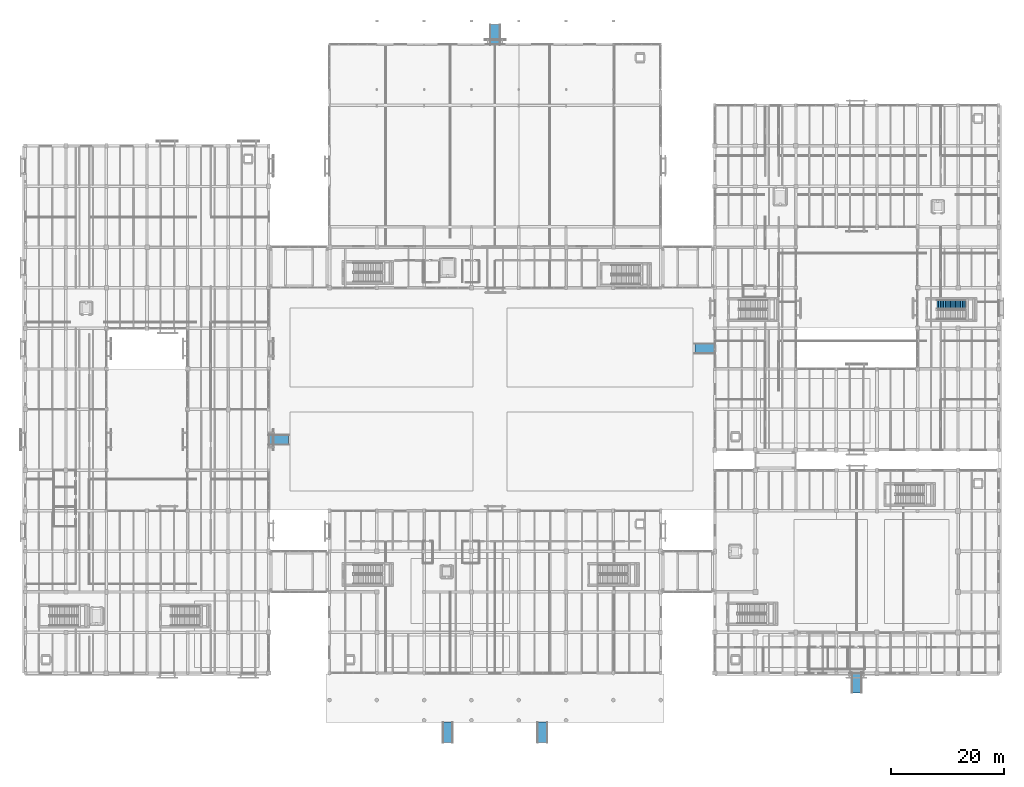
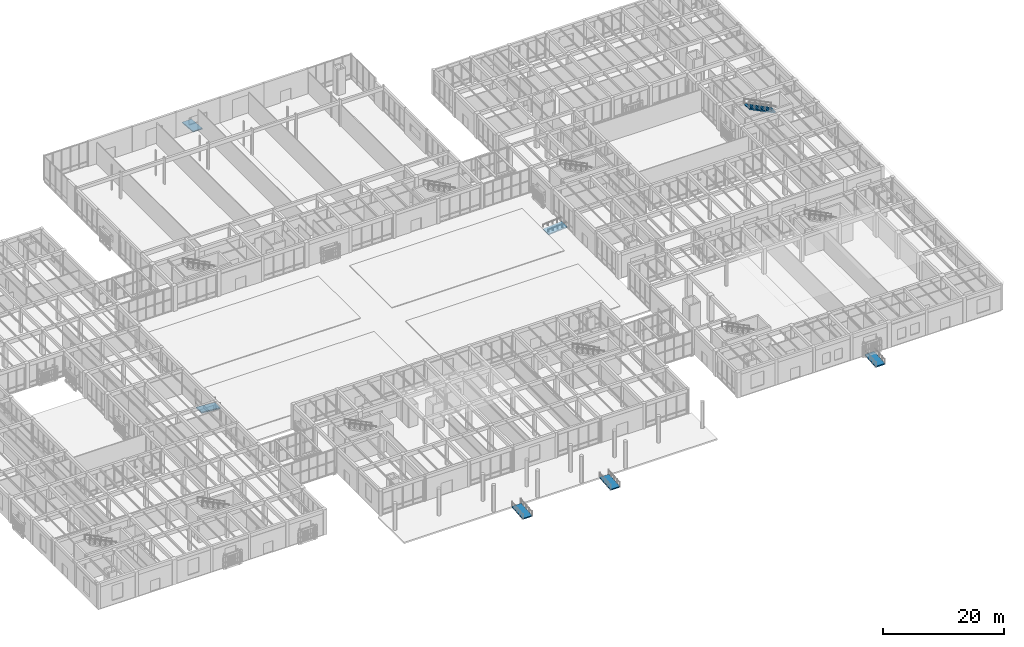
# One storey, part 135 of 169: 6 ramp flights, 1 stair flight, 7 elements without a shape of their own.
"""IFC4 building model written with IfcOpenShell, lengths in metres."""

from ifc_helpers import new_model, si_unit, direction, frame, origin, place, context, subcontext, project, spatial, polyline, outline, extrude, material, layer, layer_set, type_object, element, aggregate, save


model = new_model("IFC4")

# Units and contexts
model_context = context("Model", 3, precision=1e-05, world=origin(), true_north=direction((0.0, 1.0)))
body_context = subcontext(model_context, "Body", "Model", "MODEL_VIEW")
ifc_project = project(units=[si_unit("LENGTHUNIT", "METRE"), si_unit("AREAUNIT", "SQUARE_METRE"), si_unit("VOLUMEUNIT", "CUBIC_METRE"), si_unit("PLANEANGLEUNIT", "RADIAN"), si_unit("MASSUNIT", "GRAM", prefix="KILO")], contexts=[model_context])

# Site, building, storey
site_placement = place(None, origin())
site = spatial("IfcSite", under=ifc_project, at=site_placement, CompositionType="ELEMENT")
building_placement = place(site_placement, origin())
building = spatial("IfcBuilding", under=site, at=building_placement, Name="Mazaris Harbour Polytechnic", CompositionType="ELEMENT")
storey_placement = place(building_placement, origin())
storey = spatial("IfcBuildingStorey", under=building, at=storey_placement, Name="L00", CompositionType="ELEMENT", Elevation=0.0)

# Stair, stair flight
ifc_material_1 = material(Name="Concrete C40/50", Category="concrete")
stair_type = type_object("IfcStairType", Name="Core Exit Stair H5400", PredefinedType="HALF_TURN_STAIR", material=ifc_material_1)
stair_placement = place(storey_placement, origin())
stair = element("IfcStair", 1, at=stair_placement, inside=storey, type_object=stair_type, Name="L00 ST10", PredefinedType="HALF_TURN_STAIR")
ifc_material_2 = material(Name="Concrete C40/50", Category="concrete")
stair_flight_type = type_object("IfcStairFlightType", Name="RC Stair Flight W1650", PredefinedType="STRAIGHT", material=ifc_material_2)
stair_flight_placement = place(storey_placement, frame((166.949951171875, 72.625, 2.699951171875), z_axis=(0.0, 0.0, 1.0), x_axis=(-1.0, 0.0, 0.0)))
stair_flight = element("IfcStairFlight", 2, at=stair_flight_placement, type_object=stair_flight_type, Name="ST10 flight 2", NumberOfRisers=18, NumberOfTreads=17, PredefinedType="STRAIGHT", RiserHeight=0.15, TreadLength=0.3, context=body_context, shape_type="SweptSolid", body=[
    extrude(outline(polyline([(0.0, 0.0), (0.0, 0.14990234375), (0.300048828125, 0.14990234375), (0.300048828125, 0.300048828125), (0.60009765625, 0.300048828125), (0.60009765625, 0.449951171875), (0.89990234375, 0.449951171875), (0.89990234375, 0.60009765625), (1.199951171875, 0.60009765625), (1.199951171875, 0.75), (1.5, 0.75), (1.5, 0.89990234375), (1.800048828125, 0.89990234375), (1.800048828125, 1.050048828125), (2.10009765625, 1.050048828125), (2.10009765625, 1.199951171875), (2.39990234375, 1.199951171875), (2.39990234375, 1.35009765625), (2.699951171875, 1.35009765625), (2.699951171875, 1.5), (3.0, 1.5), (3.0, 1.64990234375), (3.300048828125, 1.64990234375), (3.300048828125, 1.800048828125), (3.60009765625, 1.800048828125), (3.60009765625, 1.949951171875), (3.89990234375, 1.949951171875), (3.89990234375, 2.10009765625), (4.199951171875, 2.10009765625), (4.199951171875, 2.25), (4.5, 2.25), (4.5, 2.39990234375), (4.800048828125, 2.39990234375), (4.800048828125, 2.550048828125), (5.10009765625, 2.550048828125), (5.10009765625, 2.699951171875), (5.10009765625, 2.348876953125), (0.40234375, 0.0), (0.0, 0.0)])), frame((0.0, 0.824951171875, 0.0), z_axis=(0.0, -1.0, 0.0), x_axis=(1.0, 0.0, 0.0)), (0.0, 0.0, 1.0), 1.64990234375),
])
aggregate(stair, [stair_flight])

# Ramp, ramp flight
ifc_material_3 = material(Name="Concrete C35/45", Category="concrete")
ramp_type = type_object("IfcRampType", Name="Promenade Accessible Ramp 1800", PredefinedType="STRAIGHT_RUN_RAMP", material=ifc_material_3)
ramp_1_placement = place(storey_placement, origin())
ramp_1 = element("IfcRamp", 3, at=ramp_1_placement, inside=storey, type_object=ramp_type, Name="Accessible Ramp RAMP-01", PredefinedType="STRAIGHT_RUN_RAMP")
ifc_material_4 = material(Name="Concrete C35/45", Category="concrete")
ifc_layer = layer(ifc_material_4, 0.219970703125, Name="Concrete C35/45")
ifc_layer_set = layer_set([ifc_layer], Name="Concrete C35/45")
ramp_flight_type = type_object("IfcRampFlightType", Name="Promenade Ramp Flight 1800", PredefinedType="STRAIGHT", material=ifc_layer_set)
ramp_flight_1_placement = place(storey_placement, frame((75.0, -5.1201171875, -0.300048828125), z_axis=(0.0, 0.0, 1.0), x_axis=(0.0, 1.0, 0.0)))
ramp_flight_1 = element("IfcRampFlight", 4, at=ramp_flight_1_placement, type_object=ramp_flight_type, Name="RAMP-01 Flight", PredefinedType="STRAIGHT", context=body_context, shape_type="SweptSolid", body=[
    extrude(outline(polyline([(0.0, 0.0), (0.0, -0.219970703125), (3.60009765625, 0.080078125), (3.60009765625, 0.300048828125), (0.0, 0.0)])), frame((0.0, 0.89990234375, 0.0), z_axis=(0.0, -1.0, 0.0), x_axis=(1.0, 0.0, 0.0)), (0.0, 0.0, 1.0), 1.800048828125),
])
aggregate(ramp_1, [ramp_flight_1])

ramp_2_placement = place(storey_placement, origin())
ramp_2 = element("IfcRamp", 5, at=ramp_2_placement, inside=storey, type_object=ramp_type, Name="Accessible Ramp RAMP-02", PredefinedType="STRAIGHT_RUN_RAMP")
ramp_flight_2_placement = place(storey_placement, frame((91.800048828125, -5.1201171875, -0.300048828125), z_axis=(0.0, 0.0, 1.0), x_axis=(0.0, 1.0, 0.0)))
ramp_flight_2 = element("IfcRampFlight", 6, at=ramp_flight_2_placement, type_object=ramp_flight_type, Name="RAMP-02 Flight", PredefinedType="STRAIGHT", context=body_context, shape_type="SweptSolid", body=[
    extrude(outline(polyline([(0.0, 0.0), (0.0, -0.219970703125), (3.60009765625, 0.080078125), (3.60009765625, 0.300048828125), (0.0, 0.0)])), frame((0.0, 0.89990234375, 0.0), z_axis=(0.0, -1.0, 0.0), x_axis=(1.0, 0.0, 0.0)), (0.0, 0.0, 1.0), 1.800048828125),
])
aggregate(ramp_2, [ramp_flight_2])

ramp_3_placement = place(storey_placement, origin())
ramp_3 = element("IfcRamp", 7, at=ramp_3_placement, inside=storey, type_object=ramp_type, Name="Accessible Ramp RAMP-03", PredefinedType="STRAIGHT_RUN_RAMP")
ramp_flight_3_placement = place(storey_placement, frame((46.719970703125, 48.60009765625, -0.300048828125), z_axis=(0.0, 0.0, 1.0), x_axis=(-1.0, 0.0, 0.0)))
ramp_flight_3 = element("IfcRampFlight", 8, at=ramp_flight_3_placement, type_object=ramp_flight_type, Name="RAMP-03 Flight", PredefinedType="STRAIGHT", context=body_context, shape_type="SweptSolid", body=[
    extrude(outline(polyline([(0.0, 0.0), (0.0, -0.219970703125), (3.60009765625, 0.080078125), (3.60009765625, 0.300048828125), (0.0, 0.0)])), frame((0.0, 0.89990234375, 0.0), z_axis=(0.0, -1.0, 0.0), x_axis=(1.0, 0.0, 0.0)), (0.0, 0.0, 1.0), 1.800048828125),
])
aggregate(ramp_3, [ramp_flight_3])

ramp_4_placement = place(storey_placement, origin())
ramp_4 = element("IfcRamp", 9, at=ramp_4_placement, inside=storey, type_object=ramp_type, Name="Accessible Ramp RAMP-04", PredefinedType="STRAIGHT_RUN_RAMP")
ramp_flight_4_placement = place(storey_placement, frame((118.8798828125, 64.800048828125, -0.300048828125), z_axis=(0.0, 0.0, 1.0), x_axis=(1.0, 0.0, 0.0)))
ramp_flight_4 = element("IfcRampFlight", 10, at=ramp_flight_4_placement, type_object=ramp_flight_type, Name="RAMP-04 Flight", PredefinedType="STRAIGHT", context=body_context, shape_type="SweptSolid", body=[
    extrude(outline(polyline([(0.0, 0.0), (0.0, -0.219970703125), (3.60009765625, 0.080078125), (3.60009765625, 0.300048828125), (0.0, 0.0)])), frame((0.0, 0.89990234375, 0.0), z_axis=(0.0, -1.0, 0.0), x_axis=(1.0, 0.0, 0.0)), (0.0, 0.0, 1.0), 1.800048828125),
])
aggregate(ramp_4, [ramp_flight_4])

ramp_5_placement = place(storey_placement, origin())
ramp_5 = element("IfcRamp", 11, at=ramp_5_placement, inside=storey, type_object=ramp_type, Name="Accessible Ramp RAMP-05", PredefinedType="STRAIGHT_RUN_RAMP")
ramp_flight_5_placement = place(storey_placement, frame((83.39990234375, 122.320068359375, -0.300048828125), z_axis=(0.0, 0.0, 1.0), x_axis=(0.0, -1.0, 0.0)))
ramp_flight_5 = element("IfcRampFlight", 12, at=ramp_flight_5_placement, type_object=ramp_flight_type, Name="RAMP-05 Flight", PredefinedType="STRAIGHT", context=body_context, shape_type="SweptSolid", body=[
    extrude(outline(polyline([(0.0, 0.0), (0.0, -0.219970703125), (3.60009765625, 0.080078125), (3.60009765625, 0.300048828125), (0.0, 0.0)])), frame((0.0, 0.89990234375, 0.0), z_axis=(0.0, -1.0, 0.0), x_axis=(1.0, 0.0, 0.0)), (0.0, 0.0, 1.0), 1.800048828125),
])
aggregate(ramp_5, [ramp_flight_5])

ramp_6_placement = place(storey_placement, origin())
ramp_6 = element("IfcRamp", 13, at=ramp_6_placement, inside=storey, type_object=ramp_type, Name="Accessible Ramp RAMP-06", PredefinedType="STRAIGHT_RUN_RAMP")
ramp_flight_6_placement = place(storey_placement, frame((147.60009765625, 3.679931640625, -0.300048828125), z_axis=(0.0, 0.0, 1.0), x_axis=(0.0, 1.0, 0.0)))
ramp_flight_6 = element("IfcRampFlight", 14, at=ramp_flight_6_placement, type_object=ramp_flight_type, Name="RAMP-06 Flight", PredefinedType="STRAIGHT", context=body_context, shape_type="SweptSolid", body=[
    extrude(outline(polyline([(0.0, 0.0), (0.0, -0.219970703125), (3.60009765625, 0.080078125), (3.60009765625, 0.300048828125), (0.0, 0.0)])), frame((0.0, 0.89990234375, 0.0), z_axis=(0.0, -1.0, 0.0), x_axis=(1.0, 0.0, 0.0)), (0.0, 0.0, 1.0), 1.800048828125),
])
aggregate(ramp_6, [ramp_flight_6])

save(model, "model.ifc")
